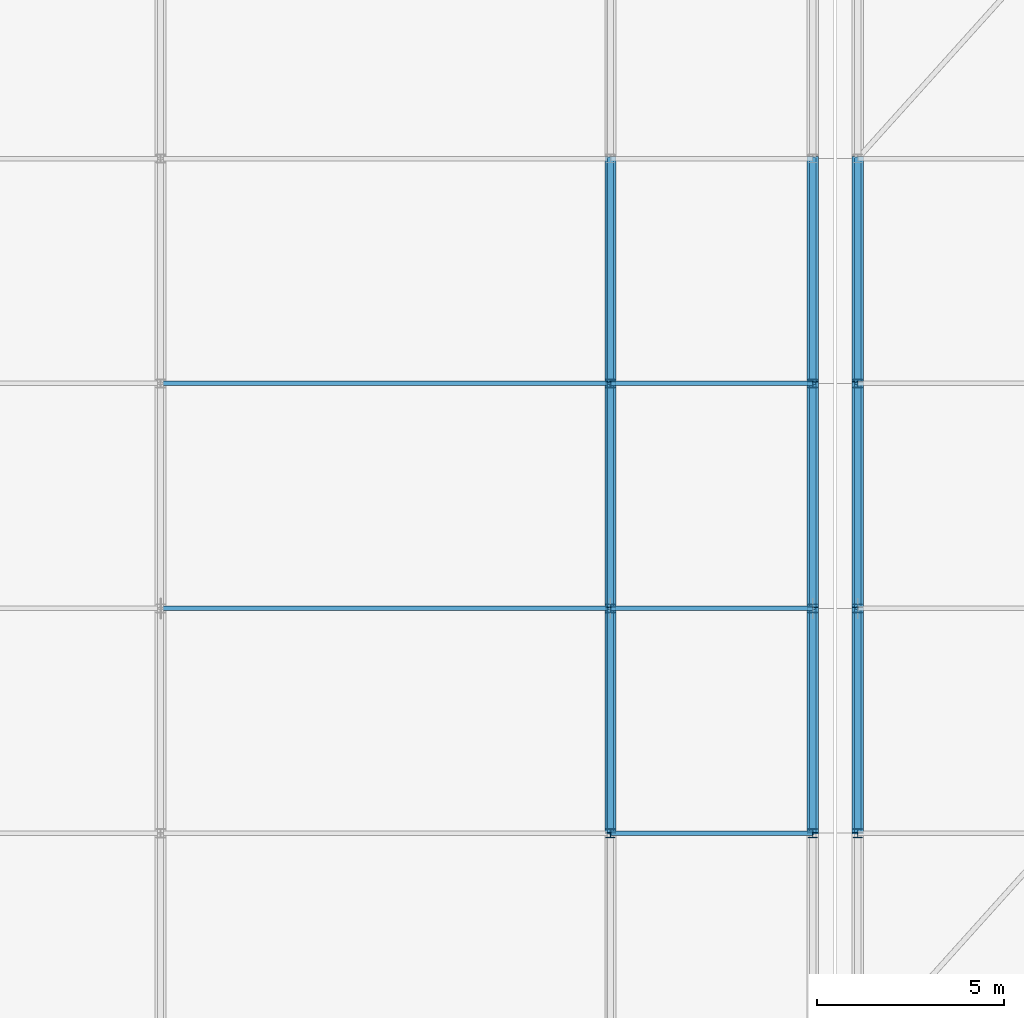
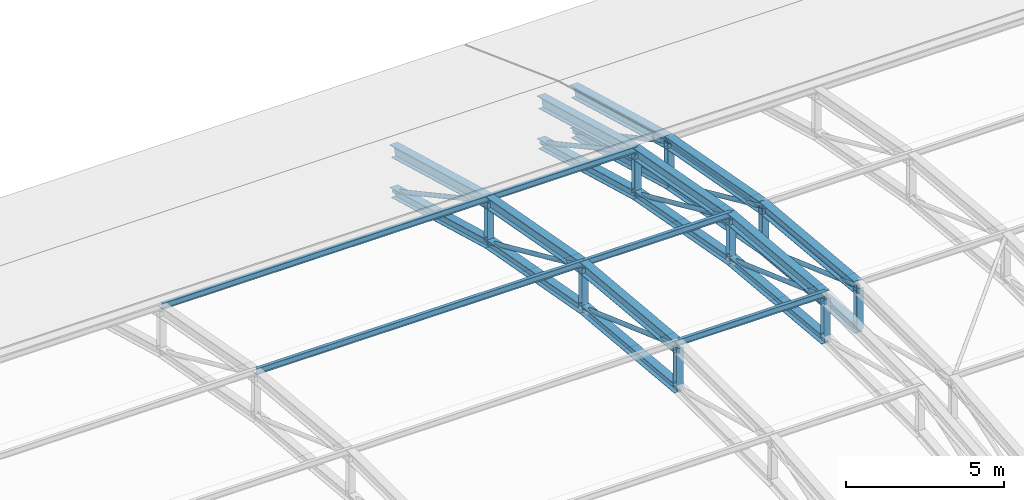
# One storey, part 44 of 204: 41 members.
"""IFC4 building model written with IfcOpenShell, lengths in metres."""

from ifc_helpers import new_model, si_unit, direction, frame, origin, origin_2d, place, context, subcontext, project, spatial, hollow_circle, i_section, extrude, material, material_profile, profile_set, type_object, element, save


model = new_model("IFC4")

# Units and contexts
model_context = context("Model", 3, precision=1e-05, world=origin(), true_north=direction((0.0, 1.0)))
body_context = subcontext(model_context, "Body", "Model", "MODEL_VIEW")
ifc_project = project(units=[si_unit("LENGTHUNIT", "METRE"), si_unit("AREAUNIT", "SQUARE_METRE"), si_unit("VOLUMEUNIT", "CUBIC_METRE"), si_unit("PLANEANGLEUNIT", "RADIAN"), si_unit("MASSUNIT", "GRAM", prefix="KILO")], contexts=[model_context])

# Site, building, storey
site_placement = place(None, origin())
site = spatial("IfcSite", under=ifc_project, at=site_placement, CompositionType="ELEMENT")
building_placement = place(site_placement, origin())
building = spatial("IfcBuilding", under=site, at=building_placement, Name="Zilviju Railside Exhibition Hall", CompositionType="ELEMENT")
storey_placement = place(building_placement, frame((0.0, 0.0, 21.0)))
storey = spatial("IfcBuildingStorey", under=building, at=storey_placement, Name="RF", CompositionType="ELEMENT", Elevation=21.0)

# Members
ifc_material = material(Name="Steel S355J2", Category="steel")
ifc_material_profile_1 = material_profile(ifc_material, hollow_circle(Radius=0.084228515625, WallThickness=0.008056640625, at=origin_2d()), Name="CHS 168.3x8.0")
ifc_profile_set_1 = profile_set([ifc_material_profile_1], Name="Steel S355J2")
member_type_1 = type_object("IfcMemberType", Name="TR-BR-CHS168", PredefinedType="BRACE", material=ifc_profile_set_1)
member_1_placement = place(storey_placement, frame((120.0, 30.0, -0.669189453125), z_axis=(0.0, 0.94123307508, -0.337757751023), x_axis=(-1.0, 0.0, 0.0)))
element("IfcMember", 1, at=member_1_placement, inside=storey, type_object=member_type_1, Name="V1 Parabolic Arch Web Diagonal X=120.0 P6", PredefinedType="BRACE", context=body_context, shape_type="SweptSolid", body=[
    extrude(hollow_circle(Radius=0.084228515625, WallThickness=0.008056640625, at=origin_2d()), origin(), (0.0, 0.0, 1.0), 6.37451171875),
])
member_2_placement = place(storey_placement, frame((120.0, 36.0, -1.22216796875), z_axis=(0.0, 0.911563042822, -0.411160332425), x_axis=(-1.0, 0.0, 0.0)))
element("IfcMember", 2, at=member_2_placement, inside=storey, type_object=member_type_1, Name="V1 Parabolic Arch Web Diagonal X=120.0 P7", PredefinedType="BRACE", context=body_context, shape_type="SweptSolid", body=[
    extrude(hollow_circle(Radius=0.084228515625, WallThickness=0.008056640625, at=origin_2d()), origin(), (0.0, 0.0, 1.0), 6.58203125),
])
member_3_placement = place(storey_placement, frame((120.0, 42.0, -2.328369140625), z_axis=(0.0, 0.87872232578, -0.477333294644), x_axis=(-1.0, 0.0, 0.0)))
element("IfcMember", 3, at=member_3_placement, inside=storey, type_object=member_type_1, Name="V1 Parabolic Arch Web Diagonal X=120.0 P8", PredefinedType="BRACE", context=body_context, shape_type="SweptSolid", body=[
    extrude(hollow_circle(Radius=0.084228515625, WallThickness=0.008056640625, at=origin_2d()), origin(), (0.0, 0.0, 1.0), 6.828125),
])
member_4_placement = place(storey_placement, frame((125.39990234375, 30.0, -0.669189453125), z_axis=(0.0, 0.94123307508, -0.337757751023), x_axis=(-1.0, 0.0, 0.0)))
element("IfcMember", 4, at=member_4_placement, inside=storey, type_object=member_type_1, Name="V1 Parabolic Arch Web Diagonal X=125.4 P6", PredefinedType="BRACE", context=body_context, shape_type="SweptSolid", body=[
    extrude(hollow_circle(Radius=0.084228515625, WallThickness=0.008056640625, at=origin_2d()), origin(), (0.0, 0.0, 1.0), 6.37451171875),
])
member_5_placement = place(storey_placement, frame((125.39990234375, 36.0, -1.22216796875), z_axis=(0.0, 0.911563042822, -0.411160332425), x_axis=(-1.0, 0.0, 0.0)))
element("IfcMember", 5, at=member_5_placement, inside=storey, type_object=member_type_1, Name="V1 Parabolic Arch Web Diagonal X=125.4 P7", PredefinedType="BRACE", context=body_context, shape_type="SweptSolid", body=[
    extrude(hollow_circle(Radius=0.084228515625, WallThickness=0.008056640625, at=origin_2d()), origin(), (0.0, 0.0, 1.0), 6.58203125),
])
member_6_placement = place(storey_placement, frame((125.39990234375, 42.0, -2.328369140625), z_axis=(0.0, 0.87872232578, -0.477333294644), x_axis=(-1.0, 0.0, 0.0)))
element("IfcMember", 6, at=member_6_placement, inside=storey, type_object=member_type_1, Name="V1 Parabolic Arch Web Diagonal X=125.4 P8", PredefinedType="BRACE", context=body_context, shape_type="SweptSolid", body=[
    extrude(hollow_circle(Radius=0.084228515625, WallThickness=0.008056640625, at=origin_2d()), origin(), (0.0, 0.0, 1.0), 6.828125),
])
member_7_placement = place(storey_placement, frame((126.60009765625, 30.0, -0.669189453125), z_axis=(0.0, 0.94123307508, -0.337757751023), x_axis=(-1.0, 0.0, 0.0)))
element("IfcMember", 7, at=member_7_placement, inside=storey, type_object=member_type_1, Name="V1 Parabolic Arch Web Diagonal X=126.6 P6", PredefinedType="BRACE", context=body_context, shape_type="SweptSolid", body=[
    extrude(hollow_circle(Radius=0.084228515625, WallThickness=0.008056640625, at=origin_2d()), origin(), (0.0, 0.0, 1.0), 6.37451171875),
])
member_8_placement = place(storey_placement, frame((126.60009765625, 36.0, -1.22216796875), z_axis=(0.0, 0.911563042822, -0.411160332425), x_axis=(-1.0, 0.0, 0.0)))
element("IfcMember", 8, at=member_8_placement, inside=storey, type_object=member_type_1, Name="V1 Parabolic Arch Web Diagonal X=126.6 P7", PredefinedType="BRACE", context=body_context, shape_type="SweptSolid", body=[
    extrude(hollow_circle(Radius=0.084228515625, WallThickness=0.008056640625, at=origin_2d()), origin(), (0.0, 0.0, 1.0), 6.58203125),
])
member_9_placement = place(storey_placement, frame((126.60009765625, 42.0, -2.328369140625), z_axis=(0.0, 0.87872232578, -0.477333294644), x_axis=(-1.0, 0.0, 0.0)))
element("IfcMember", 9, at=member_9_placement, inside=storey, type_object=member_type_1, Name="V1 Parabolic Arch Web Diagonal X=126.6 P8", PredefinedType="BRACE", context=body_context, shape_type="SweptSolid", body=[
    extrude(hollow_circle(Radius=0.084228515625, WallThickness=0.008056640625, at=origin_2d()), origin(), (0.0, 0.0, 1.0), 6.828125),
])
ifc_material_profile_2 = material_profile(ifc_material, i_section(OverallWidth=0.300048828125, OverallDepth=0.360107421875, WebThickness=0.012451171875, FlangeThickness=0.0224609375, at=origin_2d()), Name="HEB 360")
ifc_profile_set_2 = profile_set([ifc_material_profile_2], Name="Steel S355J2")
member_type_2 = type_object("IfcMemberType", Name="TR-CH-HEB360", PredefinedType="CHORD", material=ifc_profile_set_2)
member_10_placement = place(storey_placement, frame((120.0, 30.0, -2.26904296875), z_axis=(0.0, 0.995776144786, -0.091814320641), x_axis=(-1.0, 0.0, 0.0)))
element("IfcMember", 10, at=member_10_placement, inside=storey, type_object=member_type_2, Name="V1 Parabolic Arch Bottom Chord X=120.0 P6", PredefinedType="CHORD", context=body_context, shape_type="SweptSolid", body=[
    extrude(i_section(OverallWidth=0.300048828125, OverallDepth=0.360107421875, WebThickness=0.012451171875, FlangeThickness=0.0224609375, at=origin_2d()), origin(), (0.0, 0.0, 1.0), 6.025390625),
])
member_11_placement = place(storey_placement, frame((120.0, 36.0, -2.822265625), z_axis=(0.0, 0.98342578549, -0.18131112606), x_axis=(-1.0, 0.0, 0.0)))
element("IfcMember", 11, at=member_11_placement, inside=storey, type_object=member_type_2, Name="V1 Parabolic Arch Bottom Chord X=120.0 P7", PredefinedType="CHORD", context=body_context, shape_type="SweptSolid", body=[
    extrude(i_section(OverallWidth=0.300048828125, OverallDepth=0.360107421875, WebThickness=0.012451171875, FlangeThickness=0.0224609375, at=origin_2d()), origin(), (0.0, 0.0, 1.0), 6.10107421875),
])
member_12_placement = place(storey_placement, frame((120.0, 42.0, -3.928466796875), z_axis=(0.0, 0.963827412659, -0.266527144223), x_axis=(-1.0, 0.0, 0.0)))
element("IfcMember", 12, at=member_12_placement, inside=storey, type_object=member_type_2, Name="V1 Parabolic Arch Bottom Chord X=120.0 P8", PredefinedType="CHORD", context=body_context, shape_type="SweptSolid", body=[
    extrude(i_section(OverallWidth=0.300048828125, OverallDepth=0.360107421875, WebThickness=0.012451171875, FlangeThickness=0.0224609375, at=origin_2d()), origin(), (0.0, 0.0, 1.0), 6.22509765625),
])
member_13_placement = place(storey_placement, frame((125.39990234375, 30.0, -2.26904296875), z_axis=(0.0, 0.995776144786, -0.091814320641), x_axis=(-1.0, 0.0, 0.0)))
element("IfcMember", 13, at=member_13_placement, inside=storey, type_object=member_type_2, Name="V1 Parabolic Arch Bottom Chord X=125.4 P6", PredefinedType="CHORD", context=body_context, shape_type="SweptSolid", body=[
    extrude(i_section(OverallWidth=0.300048828125, OverallDepth=0.360107421875, WebThickness=0.012451171875, FlangeThickness=0.0224609375, at=origin_2d()), origin(), (0.0, 0.0, 1.0), 6.025390625),
])
member_14_placement = place(storey_placement, frame((125.39990234375, 36.0, -2.822265625), z_axis=(0.0, 0.98342578549, -0.18131112606), x_axis=(-1.0, 0.0, 0.0)))
element("IfcMember", 14, at=member_14_placement, inside=storey, type_object=member_type_2, Name="V1 Parabolic Arch Bottom Chord X=125.4 P7", PredefinedType="CHORD", context=body_context, shape_type="SweptSolid", body=[
    extrude(i_section(OverallWidth=0.300048828125, OverallDepth=0.360107421875, WebThickness=0.012451171875, FlangeThickness=0.0224609375, at=origin_2d()), origin(), (0.0, 0.0, 1.0), 6.10107421875),
])
member_15_placement = place(storey_placement, frame((125.39990234375, 42.0, -3.928466796875), z_axis=(0.0, 0.963827412659, -0.266527144223), x_axis=(-1.0, 0.0, 0.0)))
element("IfcMember", 15, at=member_15_placement, inside=storey, type_object=member_type_2, Name="V1 Parabolic Arch Bottom Chord X=125.4 P8", PredefinedType="CHORD", context=body_context, shape_type="SweptSolid", body=[
    extrude(i_section(OverallWidth=0.300048828125, OverallDepth=0.360107421875, WebThickness=0.012451171875, FlangeThickness=0.0224609375, at=origin_2d()), origin(), (0.0, 0.0, 1.0), 6.22509765625),
])
member_16_placement = place(storey_placement, frame((126.60009765625, 30.0, -2.26904296875), z_axis=(0.0, 0.995776144786, -0.091814320641), x_axis=(-1.0, 0.0, 0.0)))
element("IfcMember", 16, at=member_16_placement, inside=storey, type_object=member_type_2, Name="V1 Parabolic Arch Bottom Chord X=126.6 P6", PredefinedType="CHORD", context=body_context, shape_type="SweptSolid", body=[
    extrude(i_section(OverallWidth=0.300048828125, OverallDepth=0.360107421875, WebThickness=0.012451171875, FlangeThickness=0.0224609375, at=origin_2d()), origin(), (0.0, 0.0, 1.0), 6.025390625),
])
member_17_placement = place(storey_placement, frame((126.60009765625, 36.0, -2.822265625), z_axis=(0.0, 0.98342578549, -0.18131112606), x_axis=(-1.0, 0.0, 0.0)))
element("IfcMember", 17, at=member_17_placement, inside=storey, type_object=member_type_2, Name="V1 Parabolic Arch Bottom Chord X=126.6 P7", PredefinedType="CHORD", context=body_context, shape_type="SweptSolid", body=[
    extrude(i_section(OverallWidth=0.300048828125, OverallDepth=0.360107421875, WebThickness=0.012451171875, FlangeThickness=0.0224609375, at=origin_2d()), origin(), (0.0, 0.0, 1.0), 6.10107421875),
])
member_18_placement = place(storey_placement, frame((126.60009765625, 42.0, -3.928466796875), z_axis=(0.0, 0.963827412659, -0.266527144223), x_axis=(-1.0, 0.0, 0.0)))
element("IfcMember", 18, at=member_18_placement, inside=storey, type_object=member_type_2, Name="V1 Parabolic Arch Bottom Chord X=126.6 P8", PredefinedType="CHORD", context=body_context, shape_type="SweptSolid", body=[
    extrude(i_section(OverallWidth=0.300048828125, OverallDepth=0.360107421875, WebThickness=0.012451171875, FlangeThickness=0.0224609375, at=origin_2d()), origin(), (0.0, 0.0, 1.0), 6.22509765625),
])
ifc_material_profile_3 = material_profile(ifc_material, i_section(OverallWidth=0.300048828125, OverallDepth=0.449951171875, WebThickness=0.013916015625, FlangeThickness=0.02587890625, at=origin_2d()), Name="HEB 450")
ifc_profile_set_3 = profile_set([ifc_material_profile_3], Name="Steel S355J2")
member_type_3 = type_object("IfcMemberType", Name="TR-CH-HEB450", PredefinedType="CHORD", material=ifc_profile_set_3)
member_19_placement = place(storey_placement, frame((120.0, 30.0, -0.669189453125), z_axis=(0.0, 0.99577984843, -0.091774143746), x_axis=(-1.0, 0.0, 0.0)))
element("IfcMember", 19, at=member_19_placement, inside=storey, type_object=member_type_3, Name="V1 Parabolic Arch Top Chord X=120.0 P6", PredefinedType="CHORD", context=body_context, shape_type="SweptSolid", body=[
    extrude(i_section(OverallWidth=0.300048828125, OverallDepth=0.449951171875, WebThickness=0.013916015625, FlangeThickness=0.02587890625, at=origin_2d()), origin(), (0.0, 0.0, 1.0), 6.025390625),
])
member_20_placement = place(storey_placement, frame((120.0, 36.0, -1.22216796875), z_axis=(0.0, 0.98342578549, -0.18131112606), x_axis=(-1.0, 0.0, 0.0)))
element("IfcMember", 20, at=member_20_placement, inside=storey, type_object=member_type_3, Name="V1 Parabolic Arch Top Chord X=120.0 P7", PredefinedType="CHORD", context=body_context, shape_type="SweptSolid", body=[
    extrude(i_section(OverallWidth=0.300048828125, OverallDepth=0.449951171875, WebThickness=0.013916015625, FlangeThickness=0.02587890625, at=origin_2d()), origin(), (0.0, 0.0, 1.0), 6.10107421875),
])
member_21_placement = place(storey_placement, frame((120.0, 42.0, -2.328369140625), z_axis=(0.0, 0.963827412659, -0.266527144223), x_axis=(-1.0, 0.0, 0.0)))
element("IfcMember", 21, at=member_21_placement, inside=storey, type_object=member_type_3, Name="V1 Parabolic Arch Top Chord X=120.0 P8", PredefinedType="CHORD", context=body_context, shape_type="SweptSolid", body=[
    extrude(i_section(OverallWidth=0.300048828125, OverallDepth=0.449951171875, WebThickness=0.013916015625, FlangeThickness=0.02587890625, at=origin_2d()), origin(), (0.0, 0.0, 1.0), 6.22509765625),
])
member_22_placement = place(storey_placement, frame((125.39990234375, 30.0, -0.669189453125), z_axis=(0.0, 0.99577984843, -0.091774143746), x_axis=(-1.0, 0.0, 0.0)))
element("IfcMember", 22, at=member_22_placement, inside=storey, type_object=member_type_3, Name="V1 Parabolic Arch Top Chord X=125.4 P6", PredefinedType="CHORD", context=body_context, shape_type="SweptSolid", body=[
    extrude(i_section(OverallWidth=0.300048828125, OverallDepth=0.449951171875, WebThickness=0.013916015625, FlangeThickness=0.02587890625, at=origin_2d()), origin(), (0.0, 0.0, 1.0), 6.025390625),
])
member_23_placement = place(storey_placement, frame((125.39990234375, 36.0, -1.22216796875), z_axis=(0.0, 0.98342578549, -0.18131112606), x_axis=(-1.0, 0.0, 0.0)))
element("IfcMember", 23, at=member_23_placement, inside=storey, type_object=member_type_3, Name="V1 Parabolic Arch Top Chord X=125.4 P7", PredefinedType="CHORD", context=body_context, shape_type="SweptSolid", body=[
    extrude(i_section(OverallWidth=0.300048828125, OverallDepth=0.449951171875, WebThickness=0.013916015625, FlangeThickness=0.02587890625, at=origin_2d()), origin(), (0.0, 0.0, 1.0), 6.10107421875),
])
member_24_placement = place(storey_placement, frame((125.39990234375, 42.0, -2.328369140625), z_axis=(0.0, 0.963827412659, -0.266527144223), x_axis=(-1.0, 0.0, 0.0)))
element("IfcMember", 24, at=member_24_placement, inside=storey, type_object=member_type_3, Name="V1 Parabolic Arch Top Chord X=125.4 P8", PredefinedType="CHORD", context=body_context, shape_type="SweptSolid", body=[
    extrude(i_section(OverallWidth=0.300048828125, OverallDepth=0.449951171875, WebThickness=0.013916015625, FlangeThickness=0.02587890625, at=origin_2d()), origin(), (0.0, 0.0, 1.0), 6.22509765625),
])
member_25_placement = place(storey_placement, frame((126.60009765625, 30.0, -0.669189453125), z_axis=(0.0, 0.99577984843, -0.091774143746), x_axis=(-1.0, 0.0, 0.0)))
element("IfcMember", 25, at=member_25_placement, inside=storey, type_object=member_type_3, Name="V1 Parabolic Arch Top Chord X=126.6 P6", PredefinedType="CHORD", context=body_context, shape_type="SweptSolid", body=[
    extrude(i_section(OverallWidth=0.300048828125, OverallDepth=0.449951171875, WebThickness=0.013916015625, FlangeThickness=0.02587890625, at=origin_2d()), origin(), (0.0, 0.0, 1.0), 6.025390625),
])
member_26_placement = place(storey_placement, frame((126.60009765625, 36.0, -1.22216796875), z_axis=(0.0, 0.98342578549, -0.18131112606), x_axis=(-1.0, 0.0, 0.0)))
element("IfcMember", 26, at=member_26_placement, inside=storey, type_object=member_type_3, Name="V1 Parabolic Arch Top Chord X=126.6 P7", PredefinedType="CHORD", context=body_context, shape_type="SweptSolid", body=[
    extrude(i_section(OverallWidth=0.300048828125, OverallDepth=0.449951171875, WebThickness=0.013916015625, FlangeThickness=0.02587890625, at=origin_2d()), origin(), (0.0, 0.0, 1.0), 6.10107421875),
])
member_27_placement = place(storey_placement, frame((126.60009765625, 42.0, -2.328369140625), z_axis=(0.0, 0.963827412659, -0.266527144223), x_axis=(-1.0, 0.0, 0.0)))
element("IfcMember", 27, at=member_27_placement, inside=storey, type_object=member_type_3, Name="V1 Parabolic Arch Top Chord X=126.6 P8", PredefinedType="CHORD", context=body_context, shape_type="SweptSolid", body=[
    extrude(i_section(OverallWidth=0.300048828125, OverallDepth=0.449951171875, WebThickness=0.013916015625, FlangeThickness=0.02587890625, at=origin_2d()), origin(), (0.0, 0.0, 1.0), 6.22509765625),
])
ifc_material_profile_4 = material_profile(ifc_material, i_section(OverallWidth=0.239990234375, OverallDepth=0.22998046875, WebThickness=0.007568359375, FlangeThickness=0.011962890625, at=origin_2d()), Name="HEA 240")
ifc_profile_set_4 = profile_set([ifc_material_profile_4], Name="Steel S355J2")
member_type_4 = type_object("IfcMemberType", Name="TR-POST-HEA240", PredefinedType="POST", material=ifc_profile_set_4)
member_28_placement = place(storey_placement, frame((120.0, 30.0, -2.26904296875), z_axis=(0.0, 0.0, 1.0), x_axis=(1.0, 0.0, 0.0)))
element("IfcMember", 28, at=member_28_placement, inside=storey, type_object=member_type_4, Name="V1 Parabolic Arch Web Post X=120.0 N5", PredefinedType="POST", context=body_context, shape_type="SweptSolid", body=[
    extrude(i_section(OverallWidth=0.239990234375, OverallDepth=0.22998046875, WebThickness=0.007568359375, FlangeThickness=0.011962890625, at=origin_2d()), origin(), (0.0, 0.0, 1.0), 1.599853515625),
])
for number, where, z_axis, x_axis, name in (
    (29, (120.0, 36.0, -2.822265625), (0.0, 0.0, 1.0), (1.0, 0.0, 0.0), "V1 Parabolic Arch Web Post X=120.0 N6"),
    (30, (120.0, 42.0, -3.928466796875), (0.0, 0.0, 1.0), (1.0, 0.0, 0.0), "V1 Parabolic Arch Web Post X=120.0 N7"),
):
    element("IfcMember", number, at=place(storey_placement, frame(where, z_axis=z_axis, x_axis=x_axis)), inside=storey, type_object=member_type_4, Name=name, PredefinedType="POST", context=body_context, shape_type="SweptSolid", body=[
        extrude(i_section(OverallWidth=0.239990234375, OverallDepth=0.22998046875, WebThickness=0.007568359375, FlangeThickness=0.011962890625, at=origin_2d()), origin(), (0.0, 0.0, 1.0), 1.60009765625),
    ])
member_29_placement = place(storey_placement, frame((125.39990234375, 30.0, -2.26904296875), z_axis=(0.0, 0.0, 1.0), x_axis=(1.0, 0.0, 0.0)))
element("IfcMember", 31, at=member_29_placement, inside=storey, type_object=member_type_4, Name="V1 Parabolic Arch Web Post X=125.4 N5", PredefinedType="POST", context=body_context, shape_type="SweptSolid", body=[
    extrude(i_section(OverallWidth=0.239990234375, OverallDepth=0.22998046875, WebThickness=0.007568359375, FlangeThickness=0.011962890625, at=origin_2d()), origin(), (0.0, 0.0, 1.0), 1.599853515625),
])
for number, where, z_axis, x_axis, name in (
    (32, (125.39990234375, 36.0, -2.822265625), (0.0, 0.0, 1.0), (1.0, 0.0, 0.0), "V1 Parabolic Arch Web Post X=125.4 N6"),
    (33, (125.39990234375, 42.0, -3.928466796875), (0.0, 0.0, 1.0), (1.0, 0.0, 0.0), "V1 Parabolic Arch Web Post X=125.4 N7"),
):
    element("IfcMember", number, at=place(storey_placement, frame(where, z_axis=z_axis, x_axis=x_axis)), inside=storey, type_object=member_type_4, Name=name, PredefinedType="POST", context=body_context, shape_type="SweptSolid", body=[
        extrude(i_section(OverallWidth=0.239990234375, OverallDepth=0.22998046875, WebThickness=0.007568359375, FlangeThickness=0.011962890625, at=origin_2d()), origin(), (0.0, 0.0, 1.0), 1.60009765625),
    ])
member_30_placement = place(storey_placement, frame((126.60009765625, 30.0, -2.26904296875), z_axis=(0.0, 0.0, 1.0), x_axis=(1.0, 0.0, 0.0)))
element("IfcMember", 34, at=member_30_placement, inside=storey, type_object=member_type_4, Name="V1 Parabolic Arch Web Post X=126.6 N5", PredefinedType="POST", context=body_context, shape_type="SweptSolid", body=[
    extrude(i_section(OverallWidth=0.239990234375, OverallDepth=0.22998046875, WebThickness=0.007568359375, FlangeThickness=0.011962890625, at=origin_2d()), origin(), (0.0, 0.0, 1.0), 1.599853515625),
])
for number, where, z_axis, x_axis, name in (
    (35, (126.60009765625, 36.0, -2.822265625), (0.0, 0.0, 1.0), (1.0, 0.0, 0.0), "V1 Parabolic Arch Web Post X=126.6 N6"),
    (36, (126.60009765625, 42.0, -3.928466796875), (0.0, 0.0, 1.0), (1.0, 0.0, 0.0), "V1 Parabolic Arch Web Post X=126.6 N7"),
):
    element("IfcMember", number, at=place(storey_placement, frame(where, z_axis=z_axis, x_axis=x_axis)), inside=storey, type_object=member_type_4, Name=name, PredefinedType="POST", context=body_context, shape_type="SweptSolid", body=[
        extrude(i_section(OverallWidth=0.239990234375, OverallDepth=0.22998046875, WebThickness=0.007568359375, FlangeThickness=0.011962890625, at=origin_2d()), origin(), (0.0, 0.0, 1.0), 1.60009765625),
    ])
ifc_material_profile_5 = material_profile(ifc_material, i_section(OverallWidth=0.1201171875, OverallDepth=0.239990234375, WebThickness=0.006103515625, FlangeThickness=0.009765625, at=origin_2d()), Name="IPE 240")
ifc_profile_set_5 = profile_set([ifc_material_profile_5], Name="Steel S355J2")
member_type_5 = type_object("IfcMemberType", Name="TR-PUR-IPE240", PredefinedType="PURLIN", material=ifc_profile_set_5)
for number, where, z_axis, x_axis, name in (
    (37, (108.0, 36.0, -1.0771484375), (1.0, 0.0, 0.0), (0.0, 1.0, 0.0), "V1 Barrel Vault Roof Purlin Y=36.0 (108.0..120.0)"),
    (38, (108.0, 42.0, -2.193603515625), (1.0, 0.0, 0.0), (0.0, 1.0, 0.0), "V1 Barrel Vault Roof Purlin Y=42.0 (108.0..120.0)"),
):
    element("IfcMember", number, at=place(storey_placement, frame(where, z_axis=z_axis, x_axis=x_axis)), inside=storey, type_object=member_type_5, Name=name, PredefinedType="PURLIN", context=body_context, shape_type="SweptSolid", body=[
        extrude(i_section(OverallWidth=0.1201171875, OverallDepth=0.239990234375, WebThickness=0.006103515625, FlangeThickness=0.009765625, at=origin_2d()), origin(), (0.0, 0.0, 1.0), 12.0),
    ])
for number, where, z_axis, x_axis, name in (
    (39, (120.0, 30.0, -0.515625), (1.0, 0.0, 0.0), (0.0, 1.0, 0.0), "V1 Barrel Vault Roof Purlin Y=30.0 (120.0..125.4)"),
    (40, (120.0, 36.0, -1.0771484375), (1.0, 0.0, 0.0), (0.0, 1.0, 0.0), "V1 Barrel Vault Roof Purlin Y=36.0 (120.0..125.4)"),
    (41, (120.0, 42.0, -2.193603515625), (1.0, 0.0, 0.0), (0.0, 1.0, 0.0), "V1 Barrel Vault Roof Purlin Y=42.0 (120.0..125.4)"),
):
    element("IfcMember", number, at=place(storey_placement, frame(where, z_axis=z_axis, x_axis=x_axis)), inside=storey, type_object=member_type_5, Name=name, PredefinedType="PURLIN", context=body_context, shape_type="SweptSolid", body=[
        extrude(i_section(OverallWidth=0.1201171875, OverallDepth=0.239990234375, WebThickness=0.006103515625, FlangeThickness=0.009765625, at=origin_2d()), origin(), (0.0, 0.0, 1.0), 5.39990234375),
    ])

save(model, "model.ifc")
